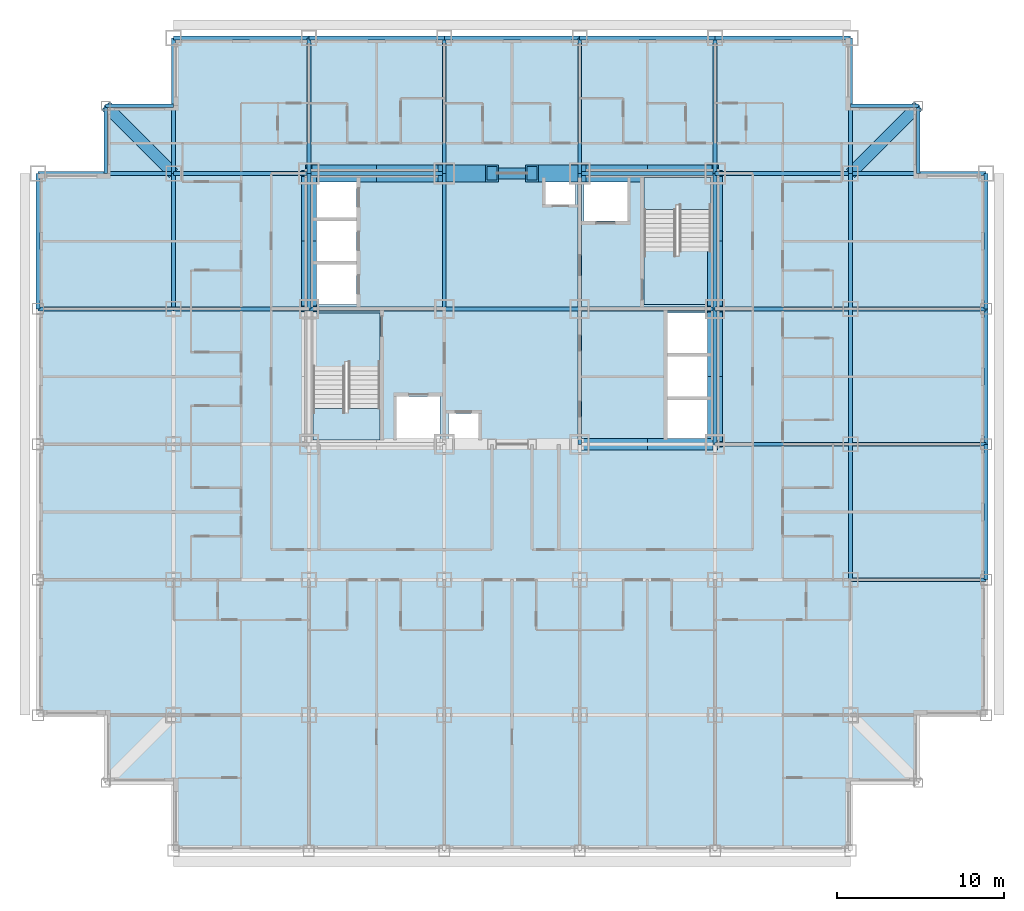
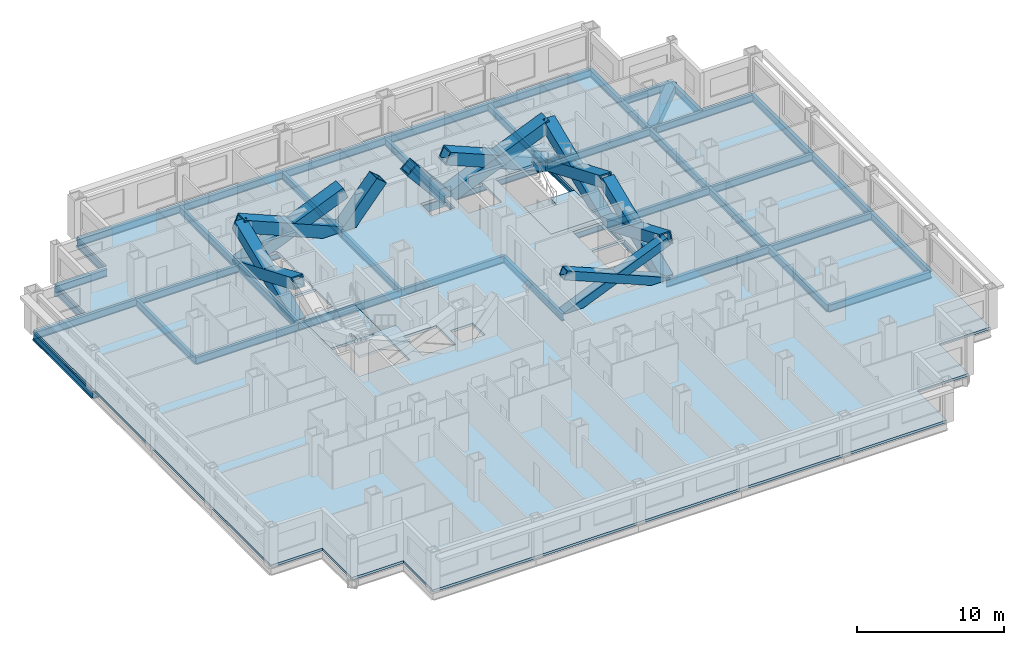
# One storey, part 2 of 11: 48 beams, 14 members, 5 slabs, 2 elements without a shape of their own.
"""IFC4 building model written with IfcOpenShell, lengths in metres."""

from ifc_helpers import new_model, si_unit, direction, frame, origin, origin_2d, place, context, subcontext, project, spatial, polyline, hollow_rectangle, i_section, outline, extrude, material, layer, layer_set, material_profile, profile_set, type_object, element, aggregate, save


model = new_model("IFC4")

# Units and contexts
model_context = context("Model", 3, precision=1e-05, world=origin(), true_north=direction((0.0, 1.0)))
body_context = subcontext(model_context, "Body", "Model", "MODEL_VIEW")
ifc_project = project(units=[si_unit("LENGTHUNIT", "METRE"), si_unit("AREAUNIT", "SQUARE_METRE"), si_unit("VOLUMEUNIT", "CUBIC_METRE"), si_unit("PLANEANGLEUNIT", "RADIAN"), si_unit("MASSUNIT", "GRAM", prefix="KILO")], contexts=[model_context])

# Site, building, storey
site_placement = place(None, origin())
site = spatial("IfcSite", under=ifc_project, at=site_placement, CompositionType="ELEMENT")
building_placement = place(site_placement, origin())
building = spatial("IfcBuilding", under=site, at=building_placement, Name="Kopane Lantern Tower", CompositionType="ELEMENT")
storey_placement = place(building_placement, frame((0.0, 0.0, 33.0)))
storey = spatial("IfcBuildingStorey", under=building, at=storey_placement, Name="L06", CompositionType="ELEMENT", Elevation=33.0)

# Members
ifc_material_1 = material(Name="Steel S355JR", Category="steel")
ifc_material_profile_1 = material_profile(ifc_material_1, hollow_rectangle(XDim=1.0, YDim=1.0, WallThickness=0.10009765625, at=origin_2d()), Name="BOX 1000x1000x100")
ifc_profile_set_1 = profile_set([ifc_material_profile_1], Name="Steel S355JR")
member_type_1 = type_object("IfcMemberType", Name="BRACE BOX 1000x1000x100", PredefinedType="BRACE", material=ifc_profile_set_1)
for number, where, z_axis, x_axis, name in (
    (1, (16.199951171875, 40.5, -0.2099609375), (0.922069000757, 0.0, 0.387025526088), (0.0, 1.0, 0.0), "Core brace L06"),
    (2, (24.300048828125, 40.5, -0.2099609375), (-0.922069000757, 0.0, 0.387025526088), (0.0, -1.0, 0.0), "Core brace L06"),
):
    element("IfcMember", number, at=place(storey_placement, frame(where, z_axis=z_axis, x_axis=x_axis)), inside=storey, type_object=member_type_1, Name=name, PredefinedType="BRACE", context=body_context, shape_type="SweptSolid", body=[
        extrude(hollow_rectangle(XDim=1.0, YDim=1.0, WallThickness=0.10009765625, at=origin_2d()), origin(), (0.0, 0.0, 1.0), 8.78466796875),
    ])
for number, where, z_axis, x_axis, name in (
    (3, (24.300048828125, 40.5, -0.2099609375), (0.642390257445, 0.0, 0.7663776857), (0.0, 1.0, 0.0), "Core brace L06"),
    (4, (32.39990234375, 40.5, -0.2099609375), (-0.642390257445, 0.0, 0.7663776857), (0.0, -1.0, 0.0), "Core brace L06"),
):
    element("IfcMember", number, at=place(storey_placement, frame(where, z_axis=z_axis, x_axis=x_axis)), inside=storey, type_object=member_type_1, Name=name, PredefinedType="BRACE", context=body_context, shape_type="SweptSolid", body=[
        extrude(hollow_rectangle(XDim=1.0, YDim=1.0, WallThickness=0.10009765625, at=origin_2d()), origin(), (0.0, 0.0, 1.0), 4.436279296875),
    ])
for number, where, z_axis, x_axis, name in (
    (5, (32.39990234375, 40.5, -0.2099609375), (0.922069000757, 0.0, 0.387025526088), (0.0, 1.0, 0.0), "Core brace L06"),
    (6, (40.5, 40.5, -0.2099609375), (-0.922069000757, 0.0, 0.387025526088), (0.0, -1.0, 0.0), "Core brace L06"),
):
    element("IfcMember", number, at=place(storey_placement, frame(where, z_axis=z_axis, x_axis=x_axis)), inside=storey, type_object=member_type_1, Name=name, PredefinedType="BRACE", context=body_context, shape_type="SweptSolid", body=[
        extrude(hollow_rectangle(XDim=1.0, YDim=1.0, WallThickness=0.10009765625, at=origin_2d()), origin(), (0.0, 0.0, 1.0), 8.78466796875),
    ])
ifc_material_2 = material(Name="Steel S355JR", Category="steel")
ifc_material_profile_2 = material_profile(ifc_material_2, hollow_rectangle(XDim=0.699951171875, YDim=0.699951171875, WallThickness=0.06005859375, at=origin_2d()), Name="BOX 700x700x60")
ifc_profile_set_2 = profile_set([ifc_material_profile_2], Name="Steel S355JR")
member_type_2 = type_object("IfcMemberType", Name="BRACE BOX 700x700x60", PredefinedType="BRACE", material=ifc_profile_set_2)
for number, where, z_axis, x_axis, name in (
    (7, (32.39990234375, 24.300048828125, -0.2099609375), (0.922069000757, 0.0, 0.387025526088), (0.0, 1.0, 0.0), "Core brace L06"),
    (8, (40.5, 24.300048828125, -0.2099609375), (-0.922069000757, 0.0, 0.387025526088), (0.0, -1.0, 0.0), "Core brace L06"),
):
    element("IfcMember", number, at=place(storey_placement, frame(where, z_axis=z_axis, x_axis=x_axis)), inside=storey, type_object=member_type_2, Name=name, PredefinedType="BRACE", context=body_context, shape_type="SweptSolid", body=[
        extrude(hollow_rectangle(XDim=0.699951171875, YDim=0.699951171875, WallThickness=0.06005859375, at=origin_2d()), origin(), (0.0, 0.0, 1.0), 8.78466796875),
    ])
ifc_material_3 = material(Name="Steel S355JR", Category="steel")
ifc_material_profile_3 = material_profile(ifc_material_3, hollow_rectangle(XDim=0.89990234375, YDim=0.89990234375, WallThickness=0.090087890625, at=origin_2d()), Name="BOX 900x900x90")
ifc_profile_set_3 = profile_set([ifc_material_profile_3], Name="Steel S355JR")
member_type_3 = type_object("IfcMemberType", Name="BRACE BOX 900x900x90", PredefinedType="BRACE", material=ifc_profile_set_3)
for number, where, z_axis, x_axis, name in (
    (9, (16.199951171875, 32.39990234375, -0.2099609375), (0.0, 0.922069000757, 0.387025526088), (-1.0, 0.0, 0.0), "Core brace L06"),
    (10, (16.199951171875, 40.5, -0.2099609375), (0.0, -0.922069000757, 0.387025526088), (1.0, 0.0, 0.0), "Core brace L06"),
):
    element("IfcMember", number, at=place(storey_placement, frame(where, z_axis=z_axis, x_axis=x_axis)), inside=storey, type_object=member_type_3, Name=name, PredefinedType="BRACE", context=body_context, shape_type="SweptSolid", body=[
        extrude(hollow_rectangle(XDim=0.89990234375, YDim=0.89990234375, WallThickness=0.090087890625, at=origin_2d()), origin(), (0.0, 0.0, 1.0), 8.78466796875),
    ])
for number, where, z_axis, x_axis, name in (
    (11, (40.5, 24.300048828125, -0.2099609375), (0.0, 0.922064837731, 0.38703544414), (-1.0, 0.0, 0.0), "Core brace L06"),
    (12, (40.5, 32.39990234375, -0.2099609375), (0.0, -0.922064837731, 0.38703544414), (1.0, 0.0, 0.0), "Core brace L06"),
):
    element("IfcMember", number, at=place(storey_placement, frame(where, z_axis=z_axis, x_axis=x_axis)), inside=storey, type_object=member_type_3, Name=name, PredefinedType="BRACE", context=body_context, shape_type="SweptSolid", body=[
        extrude(hollow_rectangle(XDim=0.89990234375, YDim=0.89990234375, WallThickness=0.090087890625, at=origin_2d()), origin(), (0.0, 0.0, 1.0), 8.784423828125),
    ])
for number, where, z_axis, x_axis, name in (
    (13, (40.5, 32.39990234375, -0.2099609375), (0.0, 0.922069000757, 0.387025526088), (-1.0, 0.0, 0.0), "Core brace L06"),
    (14, (40.5, 40.5, -0.2099609375), (0.0, -0.922069000757, 0.387025526088), (1.0, 0.0, 0.0), "Core brace L06"),
):
    element("IfcMember", number, at=place(storey_placement, frame(where, z_axis=z_axis, x_axis=x_axis)), inside=storey, type_object=member_type_3, Name=name, PredefinedType="BRACE", context=body_context, shape_type="SweptSolid", body=[
        extrude(hollow_rectangle(XDim=0.89990234375, YDim=0.89990234375, WallThickness=0.090087890625, at=origin_2d()), origin(), (0.0, 0.0, 1.0), 8.78466796875),
    ])

# Beams
ifc_material_4 = material(Name="Steel S355JR", Category="steel")
ifc_material_profile_4 = material_profile(ifc_material_4, i_section(OverallWidth=0.22900390625, OverallDepth=0.6123046875, WebThickness=0.011962890625, FlangeThickness=0.01953125, FilletRadius=0.0126953125, at=origin_2d()), Name="UB 610x229x125")
ifc_profile_set_4 = profile_set([ifc_material_profile_4], Name="Steel S355JR")
beam_type_1 = type_object("IfcBeamType", Name="CORE BEAM UB 610x229x125", PredefinedType="BEAM", material=ifc_profile_set_4)
for number, where, z_axis, x_axis, name in (
    (15, (16.199951171875, 32.39990234375, -0.51611328125), (1.0, 0.0, 0.0), (0.0, 1.0, 0.0), "Core Beam L06"),
    (16, (24.300048828125, 32.39990234375, -0.51611328125), (0.0, 1.0, 0.0), (-1.0, 0.0, 0.0), "Core Beam L06"),
):
    element("IfcBeam", number, at=place(storey_placement, frame(where, z_axis=z_axis, x_axis=x_axis)), inside=storey, type_object=beam_type_1, Name=name, PredefinedType="BEAM", context=body_context, shape_type="SweptSolid", body=[
        extrude(i_section(OverallWidth=0.22900390625, OverallDepth=0.6123046875, WebThickness=0.011962890625, FlangeThickness=0.01953125, FilletRadius=0.0126953125, at=origin_2d()), origin(), (0.0, 0.0, 1.0), 8.10009765625),
    ])
for number, where, z_axis, x_axis, name in (
    (17, (24.300048828125, 32.39990234375, -0.51611328125), (1.0, 0.0, 0.0), (0.0, 1.0, 0.0), "Core Beam L06"),
    (18, (32.39990234375, 24.300048828125, -0.51611328125), (0.0, 1.0, 0.0), (-1.0, 0.0, 0.0), "Core Beam L06"),
):
    element("IfcBeam", number, at=place(storey_placement, frame(where, z_axis=z_axis, x_axis=x_axis)), inside=storey, type_object=beam_type_1, Name=name, PredefinedType="BEAM", context=body_context, shape_type="SweptSolid", body=[
        extrude(i_section(OverallWidth=0.22900390625, OverallDepth=0.6123046875, WebThickness=0.011962890625, FlangeThickness=0.01953125, FilletRadius=0.0126953125, at=origin_2d()), origin(), (0.0, 0.0, 1.0), 8.099853515625),
    ])
for number, where, z_axis, x_axis, name in (
    (19, (32.39990234375, 32.39990234375, -0.51611328125), (0.0, 1.0, 0.0), (-1.0, 0.0, 0.0), "Core Beam L06"),
    (20, (32.39990234375, 32.39990234375, -0.51611328125), (1.0, 0.0, 0.0), (0.0, 1.0, 0.0), "Core Beam L06"),
):
    element("IfcBeam", number, at=place(storey_placement, frame(where, z_axis=z_axis, x_axis=x_axis)), inside=storey, type_object=beam_type_1, Name=name, PredefinedType="BEAM", context=body_context, shape_type="SweptSolid", body=[
        extrude(i_section(OverallWidth=0.22900390625, OverallDepth=0.6123046875, WebThickness=0.011962890625, FlangeThickness=0.01953125, FilletRadius=0.0126953125, at=origin_2d()), origin(), (0.0, 0.0, 1.0), 8.10009765625),
    ])
ifc_material_5 = material(Name="Steel S355JR", Category="steel")
ifc_material_profile_5 = material_profile(ifc_material_5, hollow_rectangle(XDim=0.699951171875, YDim=0.699951171875, WallThickness=0.06005859375, at=origin_2d()), Name="BOX 700x700x60")
ifc_profile_set_5 = profile_set([ifc_material_profile_5], Name="Steel S355JR")
beam_type_2 = type_object("IfcBeamType", Name="CORNER TIE BEAM BOX 700x700x60", PredefinedType="BEAM", material=ifc_profile_set_5)
for number, where, z_axis, x_axis, name in (
    (21, (4.050048828125, 44.550048828125, -0.56005859375), (0.707106781187, -0.707106781187, 0.0), (0.707106781187, 0.707106781187, 0.0), "Corner Tie Beam L06"),
    (22, (52.64990234375, 44.550048828125, -0.56005859375), (-0.707085467703, -0.707128094028, 0.0), (0.707128094028, -0.707085467703, 0.0), "Corner Tie Beam L06"),
):
    element("IfcBeam", number, at=place(storey_placement, frame(where, z_axis=z_axis, x_axis=x_axis)), inside=storey, type_object=beam_type_2, Name=name, PredefinedType="BEAM", context=body_context, shape_type="SweptSolid", body=[
        extrude(hollow_rectangle(XDim=0.699951171875, YDim=0.699951171875, WallThickness=0.06005859375, at=origin_2d()), origin(), (0.0, 0.0, 1.0), 5.7275390625),
    ])
ifc_material_6 = material(Name="Steel S355JR", Category="steel")
ifc_material_profile_6 = material_profile(ifc_material_6, i_section(OverallWidth=0.22900390625, OverallDepth=0.6123046875, WebThickness=0.011962890625, FlangeThickness=0.01953125, FilletRadius=0.0126953125, at=origin_2d()), Name="UB 610x229x125")
ifc_profile_set_6 = profile_set([ifc_material_profile_6], Name="Steel S355JR")
beam_type_3 = type_object("IfcBeamType", Name="EDGE BEAM UB 610x229x125", PredefinedType="BEAM", material=ifc_profile_set_6)
for number, where, z_axis, x_axis, name in (
    (23, (4.050048828125, 44.550048828125, -0.51611328125), (0.0, -1.0, 0.0), (1.0, 0.0, 0.0), "Edge Beam L06"),
    (24, (4.050048828125, 44.550048828125, -0.51611328125), (1.0, 0.0, 0.0), (0.0, 1.0, 0.0), "Edge Beam L06"),
):
    element("IfcBeam", number, at=place(storey_placement, frame(where, z_axis=z_axis, x_axis=x_axis)), inside=storey, type_object=beam_type_3, Name=name, PredefinedType="BEAM", context=body_context, shape_type="SweptSolid", body=[
        extrude(i_section(OverallWidth=0.22900390625, OverallDepth=0.6123046875, WebThickness=0.011962890625, FlangeThickness=0.01953125, FilletRadius=0.0126953125, at=origin_2d()), origin(), (0.0, 0.0, 1.0), 4.050048828125),
    ])
beam_1_placement = place(storey_placement, frame((52.64990234375, 44.550048828125, -0.51611328125), z_axis=(-1.0, 0.0, 0.0), x_axis=(0.0, -1.0, 0.0)))
element("IfcBeam", 25, at=beam_1_placement, inside=storey, type_object=beam_type_3, Name="Edge Beam L06", PredefinedType="BEAM", context=body_context, shape_type="SweptSolid", body=[
    extrude(i_section(OverallWidth=0.22900390625, OverallDepth=0.6123046875, WebThickness=0.011962890625, FlangeThickness=0.01953125, FilletRadius=0.0126953125, at=origin_2d()), origin(), (0.0, 0.0, 1.0), 4.0498046875),
])
beam_2_placement = place(storey_placement, frame((52.64990234375, 44.550048828125, -0.51611328125), z_axis=(0.0, -1.0, 0.0), x_axis=(1.0, 0.0, 0.0)))
element("IfcBeam", 26, at=beam_2_placement, inside=storey, type_object=beam_type_3, Name="Edge Beam L06", PredefinedType="BEAM", context=body_context, shape_type="SweptSolid", body=[
    extrude(i_section(OverallWidth=0.22900390625, OverallDepth=0.6123046875, WebThickness=0.011962890625, FlangeThickness=0.01953125, FilletRadius=0.0126953125, at=origin_2d()), origin(), (0.0, 0.0, 1.0), 4.050048828125),
])
ifc_material_7 = material(Name="Steel S355JR", Category="steel")
ifc_material_profile_7 = material_profile(ifc_material_7, i_section(OverallWidth=0.22900390625, OverallDepth=0.6123046875, WebThickness=0.011962890625, FlangeThickness=0.01953125, FilletRadius=0.0126953125, at=origin_2d()), Name="UB 610x229x125")
ifc_profile_set_7 = profile_set([ifc_material_profile_7], Name="Steel S355JR")
beam_type_4 = type_object("IfcBeamType", Name="GIRDER UB 610x229x125", PredefinedType="BEAM", material=ifc_profile_set_7)
for number, where, z_axis, x_axis, name in (
    (27, (0.0, 32.39990234375, -0.51611328125), (0.0, 1.0, 0.0), (-1.0, 0.0, 0.0), "Girder L06"),
    (28, (0.0, 32.39990234375, -0.51611328125), (1.0, 0.0, 0.0), (0.0, 1.0, 0.0), "Girder L06"),
    (29, (0.0, 40.5, -0.51611328125), (1.0, 0.0, 0.0), (0.0, 1.0, 0.0), "Girder L06"),
    (30, (8.10009765625, 32.39990234375, -0.51611328125), (0.0, 1.0, 0.0), (-1.0, 0.0, 0.0), "Girder L06"),
):
    element("IfcBeam", number, at=place(storey_placement, frame(where, z_axis=z_axis, x_axis=x_axis)), inside=storey, type_object=beam_type_4, Name=name, PredefinedType="BEAM", context=body_context, shape_type="SweptSolid", body=[
        extrude(i_section(OverallWidth=0.22900390625, OverallDepth=0.6123046875, WebThickness=0.011962890625, FlangeThickness=0.01953125, FilletRadius=0.0126953125, at=origin_2d()), origin(), (0.0, 0.0, 1.0), 8.10009765625),
    ])
beam_3_placement = place(storey_placement, frame((8.10009765625, 32.39990234375, -0.51611328125), z_axis=(1.0, 0.0, 0.0), x_axis=(0.0, 1.0, 0.0)))
element("IfcBeam", 31, at=beam_3_placement, inside=storey, type_object=beam_type_4, Name="Girder L06", PredefinedType="BEAM", context=body_context, shape_type="SweptSolid", body=[
    extrude(i_section(OverallWidth=0.22900390625, OverallDepth=0.6123046875, WebThickness=0.011962890625, FlangeThickness=0.01953125, FilletRadius=0.0126953125, at=origin_2d()), origin(), (0.0, 0.0, 1.0), 8.099853515625),
])
beam_4_placement = place(storey_placement, frame((8.10009765625, 40.5, -0.51611328125), z_axis=(0.0, 1.0, 0.0), x_axis=(-1.0, 0.0, 0.0)))
element("IfcBeam", 32, at=beam_4_placement, inside=storey, type_object=beam_type_4, Name="Girder L06", PredefinedType="BEAM", context=body_context, shape_type="SweptSolid", body=[
    extrude(i_section(OverallWidth=0.22900390625, OverallDepth=0.6123046875, WebThickness=0.011962890625, FlangeThickness=0.01953125, FilletRadius=0.0126953125, at=origin_2d()), origin(), (0.0, 0.0, 1.0), 8.10009765625),
])
for number, where, z_axis, x_axis, name in (
    (33, (8.10009765625, 40.5, -0.51611328125), (1.0, 0.0, 0.0), (0.0, 1.0, 0.0), "Girder L06"),
    (34, (8.10009765625, 48.60009765625, -0.51611328125), (1.0, 0.0, 0.0), (0.0, 1.0, 0.0), "Girder L06"),
):
    element("IfcBeam", number, at=place(storey_placement, frame(where, z_axis=z_axis, x_axis=x_axis)), inside=storey, type_object=beam_type_4, Name=name, PredefinedType="BEAM", context=body_context, shape_type="SweptSolid", body=[
        extrude(i_section(OverallWidth=0.22900390625, OverallDepth=0.6123046875, WebThickness=0.011962890625, FlangeThickness=0.01953125, FilletRadius=0.0126953125, at=origin_2d()), origin(), (0.0, 0.0, 1.0), 8.099853515625),
    ])
for number, where, z_axis, x_axis, name in (
    (35, (16.199951171875, 32.39990234375, -0.51611328125), (0.0, 1.0, 0.0), (-1.0, 0.0, 0.0), "Girder L06"),
    (36, (16.199951171875, 40.5, -0.51611328125), (0.0, 1.0, 0.0), (-1.0, 0.0, 0.0), "Girder L06"),
    (37, (16.199951171875, 40.5, -0.51611328125), (1.0, 0.0, 0.0), (0.0, 1.0, 0.0), "Girder L06"),
    (38, (16.199951171875, 48.60009765625, -0.51611328125), (1.0, 0.0, 0.0), (0.0, 1.0, 0.0), "Girder L06"),
    (39, (24.300048828125, 40.5, -0.51611328125), (0.0, 1.0, 0.0), (-1.0, 0.0, 0.0), "Girder L06"),
):
    element("IfcBeam", number, at=place(storey_placement, frame(where, z_axis=z_axis, x_axis=x_axis)), inside=storey, type_object=beam_type_4, Name=name, PredefinedType="BEAM", context=body_context, shape_type="SweptSolid", body=[
        extrude(i_section(OverallWidth=0.22900390625, OverallDepth=0.6123046875, WebThickness=0.011962890625, FlangeThickness=0.01953125, FilletRadius=0.0126953125, at=origin_2d()), origin(), (0.0, 0.0, 1.0), 8.10009765625),
    ])
beam_5_placement = place(storey_placement, frame((24.300048828125, 48.60009765625, -0.51611328125), z_axis=(1.0, 0.0, 0.0), x_axis=(0.0, 1.0, 0.0)))
element("IfcBeam", 40, at=beam_5_placement, inside=storey, type_object=beam_type_4, Name="Girder L06", PredefinedType="BEAM", context=body_context, shape_type="SweptSolid", body=[
    extrude(i_section(OverallWidth=0.22900390625, OverallDepth=0.6123046875, WebThickness=0.011962890625, FlangeThickness=0.01953125, FilletRadius=0.0126953125, at=origin_2d()), origin(), (0.0, 0.0, 1.0), 8.099853515625),
])
for number, where, z_axis, x_axis, name in (
    (41, (32.39990234375, 40.5, -0.51611328125), (0.0, 1.0, 0.0), (-1.0, 0.0, 0.0), "Girder L06"),
    (42, (32.39990234375, 40.5, -0.51611328125), (1.0, 0.0, 0.0), (0.0, 1.0, 0.0), "Girder L06"),
    (43, (32.39990234375, 48.60009765625, -0.51611328125), (1.0, 0.0, 0.0), (0.0, 1.0, 0.0), "Girder L06"),
):
    element("IfcBeam", number, at=place(storey_placement, frame(where, z_axis=z_axis, x_axis=x_axis)), inside=storey, type_object=beam_type_4, Name=name, PredefinedType="BEAM", context=body_context, shape_type="SweptSolid", body=[
        extrude(i_section(OverallWidth=0.22900390625, OverallDepth=0.6123046875, WebThickness=0.011962890625, FlangeThickness=0.01953125, FilletRadius=0.0126953125, at=origin_2d()), origin(), (0.0, 0.0, 1.0), 8.10009765625),
    ])
beam_6_placement = place(storey_placement, frame((40.5, 24.300048828125, -0.51611328125), z_axis=(0.0, 1.0, 0.0), x_axis=(-1.0, 0.0, 0.0)))
element("IfcBeam", 44, at=beam_6_placement, inside=storey, type_object=beam_type_4, Name="Girder L06", PredefinedType="BEAM", context=body_context, shape_type="SweptSolid", body=[
    extrude(i_section(OverallWidth=0.22900390625, OverallDepth=0.6123046875, WebThickness=0.011962890625, FlangeThickness=0.01953125, FilletRadius=0.0126953125, at=origin_2d()), origin(), (0.0, 0.0, 1.0), 8.099853515625),
])
for number, where, z_axis, x_axis, name in (
    (45, (40.5, 24.300048828125, -0.51611328125), (1.0, 0.0, 0.0), (0.0, 1.0, 0.0), "Girder L06"),
    (46, (40.5, 32.39990234375, -0.51611328125), (0.0, 1.0, 0.0), (-1.0, 0.0, 0.0), "Girder L06"),
    (47, (40.5, 32.39990234375, -0.51611328125), (1.0, 0.0, 0.0), (0.0, 1.0, 0.0), "Girder L06"),
    (48, (40.5, 40.5, -0.51611328125), (0.0, 1.0, 0.0), (-1.0, 0.0, 0.0), "Girder L06"),
    (49, (40.5, 40.5, -0.51611328125), (1.0, 0.0, 0.0), (0.0, 1.0, 0.0), "Girder L06"),
    (50, (40.5, 48.60009765625, -0.51611328125), (1.0, 0.0, 0.0), (0.0, 1.0, 0.0), "Girder L06"),
    (51, (48.60009765625, 16.199951171875, -0.51611328125), (0.0, 1.0, 0.0), (-1.0, 0.0, 0.0), "Girder L06"),
):
    element("IfcBeam", number, at=place(storey_placement, frame(where, z_axis=z_axis, x_axis=x_axis)), inside=storey, type_object=beam_type_4, Name=name, PredefinedType="BEAM", context=body_context, shape_type="SweptSolid", body=[
        extrude(i_section(OverallWidth=0.22900390625, OverallDepth=0.6123046875, WebThickness=0.011962890625, FlangeThickness=0.01953125, FilletRadius=0.0126953125, at=origin_2d()), origin(), (0.0, 0.0, 1.0), 8.10009765625),
    ])
for number, where, z_axis, x_axis, name in (
    (52, (48.60009765625, 16.199951171875, -0.51611328125), (1.0, 0.0, 0.0), (0.0, 1.0, 0.0), "Girder L06"),
    (53, (48.60009765625, 24.300048828125, -0.51611328125), (0.0, 1.0, 0.0), (-1.0, 0.0, 0.0), "Girder L06"),
    (54, (48.60009765625, 24.300048828125, -0.51611328125), (1.0, 0.0, 0.0), (0.0, 1.0, 0.0), "Girder L06"),
):
    element("IfcBeam", number, at=place(storey_placement, frame(where, z_axis=z_axis, x_axis=x_axis)), inside=storey, type_object=beam_type_4, Name=name, PredefinedType="BEAM", context=body_context, shape_type="SweptSolid", body=[
        extrude(i_section(OverallWidth=0.22900390625, OverallDepth=0.6123046875, WebThickness=0.011962890625, FlangeThickness=0.01953125, FilletRadius=0.0126953125, at=origin_2d()), origin(), (0.0, 0.0, 1.0), 8.099853515625),
    ])
beam_7_placement = place(storey_placement, frame((48.60009765625, 32.39990234375, -0.51611328125), z_axis=(0.0, 1.0, 0.0), x_axis=(-1.0, 0.0, 0.0)))
element("IfcBeam", 55, at=beam_7_placement, inside=storey, type_object=beam_type_4, Name="Girder L06", PredefinedType="BEAM", context=body_context, shape_type="SweptSolid", body=[
    extrude(i_section(OverallWidth=0.22900390625, OverallDepth=0.6123046875, WebThickness=0.011962890625, FlangeThickness=0.01953125, FilletRadius=0.0126953125, at=origin_2d()), origin(), (0.0, 0.0, 1.0), 8.10009765625),
])
beam_8_placement = place(storey_placement, frame((48.60009765625, 32.39990234375, -0.51611328125), z_axis=(1.0, 0.0, 0.0), x_axis=(0.0, 1.0, 0.0)))
element("IfcBeam", 56, at=beam_8_placement, inside=storey, type_object=beam_type_4, Name="Girder L06", PredefinedType="BEAM", context=body_context, shape_type="SweptSolid", body=[
    extrude(i_section(OverallWidth=0.22900390625, OverallDepth=0.6123046875, WebThickness=0.011962890625, FlangeThickness=0.01953125, FilletRadius=0.0126953125, at=origin_2d()), origin(), (0.0, 0.0, 1.0), 8.099853515625),
])
beam_9_placement = place(storey_placement, frame((48.60009765625, 40.5, -0.51611328125), z_axis=(0.0, 1.0, 0.0), x_axis=(-1.0, 0.0, 0.0)))
element("IfcBeam", 57, at=beam_9_placement, inside=storey, type_object=beam_type_4, Name="Girder L06", PredefinedType="BEAM", context=body_context, shape_type="SweptSolid", body=[
    extrude(i_section(OverallWidth=0.22900390625, OverallDepth=0.6123046875, WebThickness=0.011962890625, FlangeThickness=0.01953125, FilletRadius=0.0126953125, at=origin_2d()), origin(), (0.0, 0.0, 1.0), 8.10009765625),
])
beam_10_placement = place(storey_placement, frame((48.60009765625, 40.5, -0.51611328125), z_axis=(1.0, 0.0, 0.0), x_axis=(0.0, 1.0, 0.0)))
element("IfcBeam", 58, at=beam_10_placement, inside=storey, type_object=beam_type_4, Name="Girder L06", PredefinedType="BEAM", context=body_context, shape_type="SweptSolid", body=[
    extrude(i_section(OverallWidth=0.22900390625, OverallDepth=0.6123046875, WebThickness=0.011962890625, FlangeThickness=0.01953125, FilletRadius=0.0126953125, at=origin_2d()), origin(), (0.0, 0.0, 1.0), 8.099853515625),
])
beam_11_placement = place(storey_placement, frame((56.699951171875, 16.199951171875, -0.51611328125), z_axis=(0.0, 1.0, 0.0), x_axis=(-1.0, 0.0, 0.0)))
element("IfcBeam", 59, at=beam_11_placement, inside=storey, type_object=beam_type_4, Name="Girder L06", PredefinedType="BEAM", context=body_context, shape_type="SweptSolid", body=[
    extrude(i_section(OverallWidth=0.22900390625, OverallDepth=0.6123046875, WebThickness=0.011962890625, FlangeThickness=0.01953125, FilletRadius=0.0126953125, at=origin_2d()), origin(), (0.0, 0.0, 1.0), 8.10009765625),
])
beam_12_placement = place(storey_placement, frame((56.699951171875, 24.300048828125, -0.51611328125), z_axis=(0.0, 1.0, 0.0), x_axis=(-1.0, 0.0, 0.0)))
element("IfcBeam", 60, at=beam_12_placement, inside=storey, type_object=beam_type_4, Name="Girder L06", PredefinedType="BEAM", context=body_context, shape_type="SweptSolid", body=[
    extrude(i_section(OverallWidth=0.22900390625, OverallDepth=0.6123046875, WebThickness=0.011962890625, FlangeThickness=0.01953125, FilletRadius=0.0126953125, at=origin_2d()), origin(), (0.0, 0.0, 1.0), 8.099853515625),
])
beam_13_placement = place(storey_placement, frame((56.699951171875, 32.39990234375, -0.51611328125), z_axis=(0.0, 1.0, 0.0), x_axis=(-1.0, 0.0, 0.0)))
element("IfcBeam", 61, at=beam_13_placement, inside=storey, type_object=beam_type_4, Name="Girder L06", PredefinedType="BEAM", context=body_context, shape_type="SweptSolid", body=[
    extrude(i_section(OverallWidth=0.22900390625, OverallDepth=0.6123046875, WebThickness=0.011962890625, FlangeThickness=0.01953125, FilletRadius=0.0126953125, at=origin_2d()), origin(), (0.0, 0.0, 1.0), 8.10009765625),
])
ifc_material_8 = material(Name="Steel S355JR", Category="steel")
ifc_material_profile_8 = material_profile(ifc_material_8, hollow_rectangle(XDim=0.64990234375, YDim=0.64990234375, WallThickness=0.070068359375, at=origin_2d()), Name="BOX 650x650x70")
ifc_profile_set_8 = profile_set([ifc_material_profile_8], Name="Steel S355JR")
beam_type_5 = type_object("IfcBeamType", Name="LINK BEAM BOX 650x650x70", PredefinedType="BEAM", material=ifc_profile_set_8)
beam_14_placement = place(storey_placement, frame((24.300048828125, 40.5, -0.534912109375), z_axis=(1.0, 0.0, 0.0), x_axis=(0.0, 1.0, 0.0)))
element("IfcBeam", 62, at=beam_14_placement, inside=storey, type_object=beam_type_5, Name="Link Beam L06", PredefinedType="BEAM", context=body_context, shape_type="SweptSolid", body=[
    extrude(hollow_rectangle(XDim=0.64990234375, YDim=0.64990234375, WallThickness=0.070068359375, at=origin_2d()), origin(), (0.0, 0.0, 1.0), 8.099853515625),
])

# Slab
ifc_material_9 = material(Name="Concrete C40/50", Category="concrete")
ifc_layer_1 = layer(ifc_material_9, 0.2099609375)
ifc_layer_set_1 = layer_set([ifc_layer_1], Name="SLAB 210 COMPOSITE")
slab_type_1 = type_object("IfcSlabType", Name="SLAB 210 COMPOSITE", PredefinedType="FLOOR", material=ifc_layer_set_1)
slab_1_placement = place(storey_placement, frame((0.0, 0.0, -0.2099609375)))
element("IfcSlab", 63, at=slab_1_placement, inside=storey, type_object=slab_type_1, Name="Floor slab L06", PredefinedType="FLOOR", context=body_context, shape_type="SweptSolid", body=[
    extrude(outline(polyline([(8.10009765625, 0.0), (48.60009765625, 0.0), (48.60009765625, 4.050048828125), (52.64990234375, 4.050048828125), (52.64990234375, 8.10009765625), (56.699951171875, 8.10009765625), (56.699951171875, 40.5), (52.64990234375, 40.5), (52.64990234375, 44.550048828125), (48.60009765625, 44.550048828125), (48.60009765625, 48.60009765625), (8.10009765625, 48.60009765625), (8.10009765625, 44.550048828125), (4.050048828125, 44.550048828125), (4.050048828125, 40.5), (0.0, 40.5), (0.0, 8.10009765625), (4.050048828125, 8.10009765625), (4.050048828125, 4.050048828125), (8.10009765625, 4.050048828125), (8.10009765625, 0.0)]), holes=[polyline([(16.449951171875, 24.550048828125), (20.449951171875, 24.550048828125), (20.449951171875, 32.14990234375), (16.449951171875, 32.14990234375), (16.449951171875, 24.550048828125)]), polyline([(36.25, 32.64990234375), (40.25, 32.64990234375), (40.25, 40.25), (36.25, 40.25), (36.25, 32.64990234375)]), polyline([(16.449951171875, 32.64990234375), (19.050048828125, 32.64990234375), (19.050048828125, 35.050048828125), (16.449951171875, 35.050048828125), (16.449951171875, 32.64990234375)]), polyline([(16.449951171875, 35.25), (19.050048828125, 35.25), (19.050048828125, 37.64990234375), (16.449951171875, 37.64990234375), (16.449951171875, 35.25)]), polyline([(16.449951171875, 37.85009765625), (19.050048828125, 37.85009765625), (19.050048828125, 40.25), (16.449951171875, 40.25), (16.449951171875, 37.85009765625)]), polyline([(37.64990234375, 24.550048828125), (40.25, 24.550048828125), (40.25, 26.949951171875), (37.64990234375, 26.949951171875), (37.64990234375, 24.550048828125)]), polyline([(37.64990234375, 27.14990234375), (40.25, 27.14990234375), (40.25, 29.550048828125), (37.64990234375, 29.550048828125), (37.64990234375, 27.14990234375)]), polyline([(37.64990234375, 29.75), (40.25, 29.75), (40.25, 32.14990234375), (37.64990234375, 32.14990234375), (37.64990234375, 29.75)]), polyline([(21.449951171875, 24.550048828125), (24.050048828125, 24.550048828125), (24.050048828125, 27.14990234375), (21.449951171875, 27.14990234375), (21.449951171875, 24.550048828125)]), polyline([(32.64990234375, 37.64990234375), (35.25, 37.64990234375), (35.25, 40.25), (32.64990234375, 40.25), (32.64990234375, 37.64990234375)]), polyline([(24.550048828125, 24.550048828125), (26.35009765625, 24.550048828125), (26.35009765625, 26.14990234375), (24.550048828125, 26.14990234375), (24.550048828125, 24.550048828125)]), polyline([(30.35009765625, 38.64990234375), (32.14990234375, 38.64990234375), (32.14990234375, 40.25), (30.35009765625, 40.25), (30.35009765625, 38.64990234375)])]), origin(), (0.0, 0.0, 1.0), 0.2099609375),
])

# Stair, slabs
ifc_material_10 = material(Name="Steel S355JR", Category="steel")
stair_type = type_object("IfcStairType", Name="EXIT STAIR 1900 HALF TURN", PredefinedType="HALF_TURN_STAIR", material=ifc_material_10)
stair_1_placement = place(storey_placement, origin())
stair_1 = element("IfcStair", 64, at=stair_1_placement, inside=storey, type_object=stair_type, Name="Exit stair ST1 L06", PredefinedType="HALF_TURN_STAIR")
ifc_material_11 = material(Name="Concrete C40/50", Category="concrete")
ifc_layer_2 = layer(ifc_material_11, 0.199951171875)
ifc_layer_set_2 = layer_set([ifc_layer_2], Name="STAIR LANDING 200")
slab_type_2 = type_object("IfcSlabType", Name="STAIR LANDING 200", PredefinedType="LANDING", material=ifc_layer_set_2)
slab_2_placement = place(storey_placement, frame((0.0, 0.0, -0.199951171875)))
slab_2 = element("IfcSlab", 65, at=slab_2_placement, type_object=slab_type_2, Name="ST1 landing 1", PredefinedType="LANDING", context=body_context, shape_type="SweptSolid", body=[
    extrude(outline(polyline([(18.35009765625, 29.25), (18.550048828125, 29.25), (18.550048828125, 28.409912109375), (20.449951171875, 28.409912109375), (20.449951171875, 32.14990234375), (16.449951171875, 32.14990234375), (16.449951171875, 28.409912109375), (18.35009765625, 28.409912109375), (18.35009765625, 29.25)])), origin(), (0.0, 0.0, 1.0), 0.199951171875),
])
slab_3_placement = place(storey_placement, frame((0.0, 0.0, 1.5)))
slab_3 = element("IfcSlab", 66, at=slab_3_placement, type_object=slab_type_2, Name="ST1 landing 2", PredefinedType="LANDING", context=body_context, shape_type="SweptSolid", body=[
    extrude(outline(polyline([(20.449951171875, 26.449951171875), (18.550048828125, 26.449951171875), (18.550048828125, 26.169921875), (18.35009765625, 26.169921875), (18.35009765625, 26.449951171875), (16.449951171875, 26.449951171875), (16.449951171875, 24.550048828125), (20.449951171875, 24.550048828125), (20.449951171875, 26.449951171875)])), origin(), (0.0, 0.0, 1.0), 0.199951171875),
])
aggregate(stair_1, [slab_2, slab_3])

stair_2_placement = place(storey_placement, origin())
stair_2 = element("IfcStair", 67, at=stair_2_placement, inside=storey, type_object=stair_type, Name="Exit stair ST2 L06", PredefinedType="HALF_TURN_STAIR")
slab_4_placement = place(storey_placement, frame((0.0, 0.0, -0.199951171875)))
slab_4 = element("IfcSlab", 68, at=slab_4_placement, type_object=slab_type_2, Name="ST2 landing 1", PredefinedType="LANDING", context=body_context, shape_type="SweptSolid", body=[
    extrude(outline(polyline([(40.25, 36.389892578125), (38.35009765625, 36.389892578125), (38.35009765625, 35.550048828125), (38.14990234375, 35.550048828125), (38.14990234375, 36.389892578125), (36.25, 36.389892578125), (36.25, 32.64990234375), (40.25, 32.64990234375), (40.25, 36.389892578125)])), origin(), (0.0, 0.0, 1.0), 0.199951171875),
])
slab_5_placement = place(storey_placement, frame((0.0, 0.0, 1.5)))
slab_5 = element("IfcSlab", 69, at=slab_5_placement, type_object=slab_type_2, Name="ST2 landing 2", PredefinedType="LANDING", context=body_context, shape_type="SweptSolid", body=[
    extrude(outline(polyline([(38.14990234375, 38.6298828125), (38.35009765625, 38.6298828125), (38.35009765625, 38.35009765625), (40.25, 38.35009765625), (40.25, 40.25), (36.25, 40.25), (36.25, 38.35009765625), (38.14990234375, 38.35009765625), (38.14990234375, 38.6298828125)])), origin(), (0.0, 0.0, 1.0), 0.199951171875),
])
aggregate(stair_2, [slab_4, slab_5])

save(model, "model.ifc")
